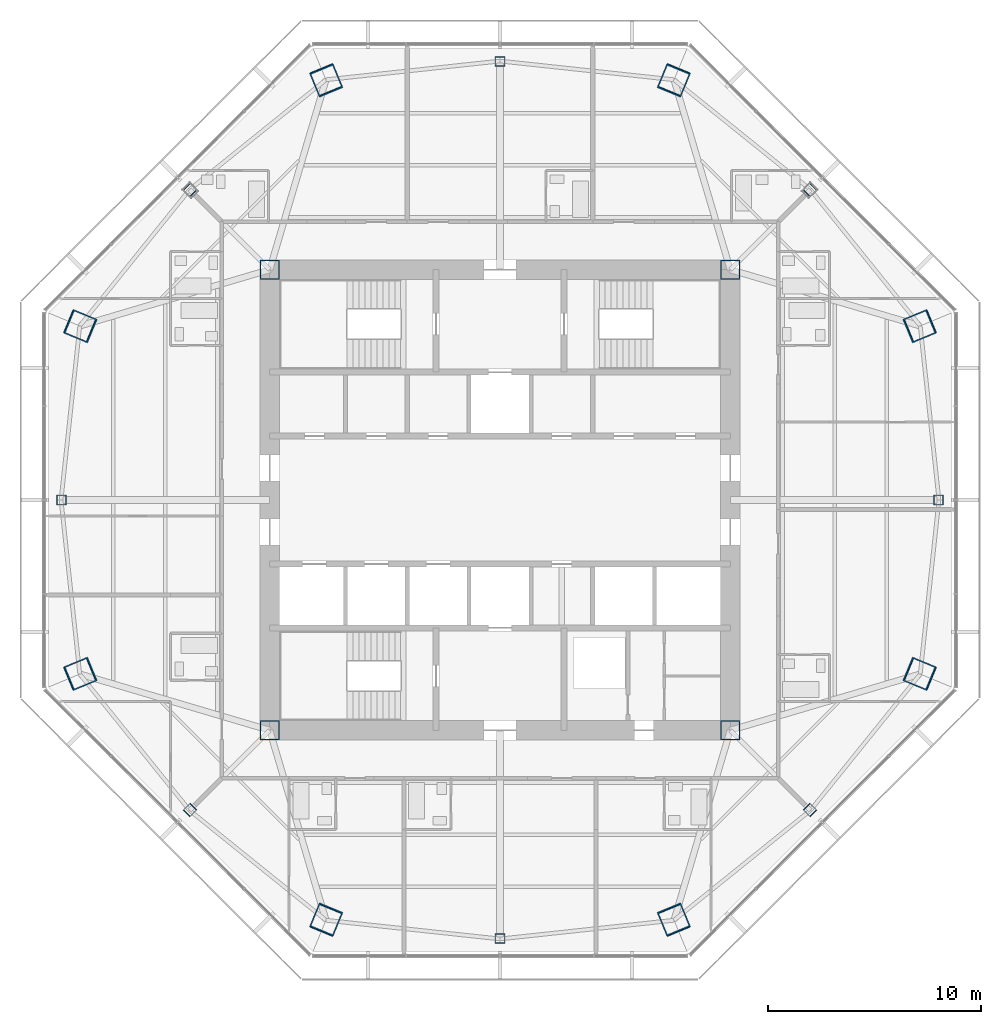
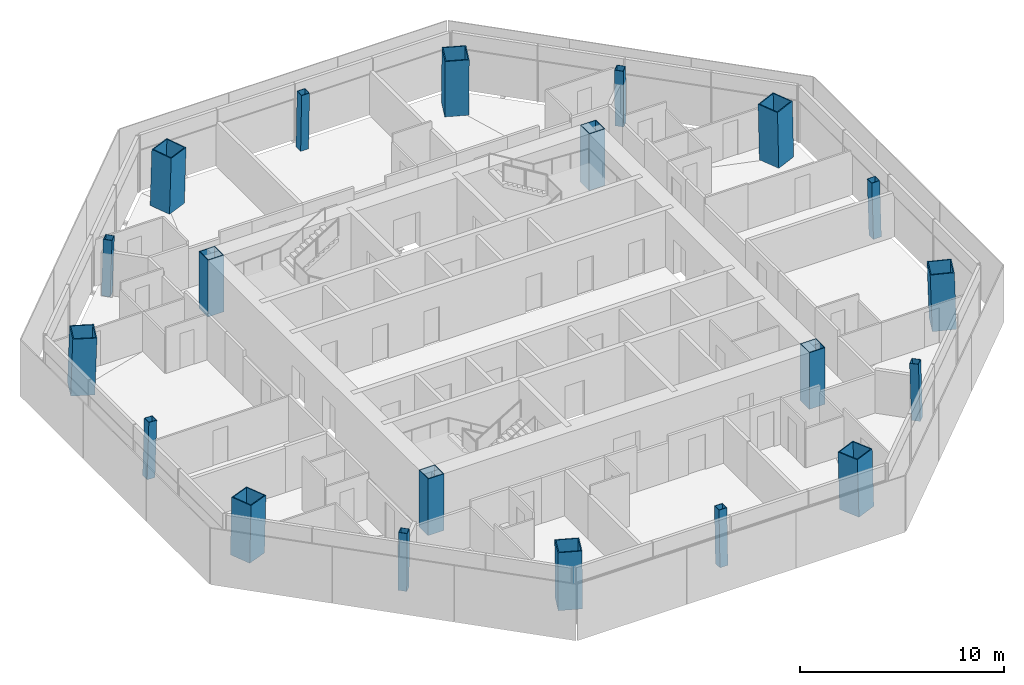
# One storey, part 1 of 15: 20 columns.
"""IFC4 building model written with IfcOpenShell, lengths in metres."""

from ifc_helpers import new_model, si_unit, direction, frame, origin, origin_2d, place, context, subcontext, project, spatial, hollow_rectangle, extrude, material, material_profile, profile_set, type_object, element, save


model = new_model("IFC4")

# Units and contexts
model_context = context("Model", 3, precision=1e-05, world=origin(), true_north=direction((0.0, 1.0)))
body_context = subcontext(model_context, "Body", "Model", "MODEL_VIEW")
ifc_project = project(units=[si_unit("LENGTHUNIT", "METRE"), si_unit("AREAUNIT", "SQUARE_METRE"), si_unit("VOLUMEUNIT", "CUBIC_METRE"), si_unit("PLANEANGLEUNIT", "RADIAN"), si_unit("MASSUNIT", "GRAM", prefix="KILO")], contexts=[model_context])

# Site, building, storey
site_placement = place(None, origin())
site = spatial("IfcSite", under=ifc_project, at=site_placement, CompositionType="ELEMENT")
building_placement = place(site_placement, origin())
building = spatial("IfcBuilding", under=site, at=building_placement, Name="Mashrafa Tower", CompositionType="ELEMENT")
storey_placement = place(building_placement, frame((0.0, 0.0, 234.60009765625)))
storey = spatial("IfcBuildingStorey", under=building, at=storey_placement, Name="L55", CompositionType="ELEMENT", Elevation=234.60009765625)

# Columns
ifc_material_1 = material(Name="Steel ASTM A572 Gr 50", Category="steel")
ifc_material_profile_1 = material_profile(ifc_material_1, hollow_rectangle(XDim=0.89990234375, YDim=0.89990234375, WallThickness=0.0400390625, at=origin_2d()), Name="BOX900X900X40")
ifc_profile_set_1 = profile_set([ifc_material_profile_1], Name="Steel ASTM A572 Gr 50")
column_type_1 = type_object("IfcColumnType", Name="Core corner column BOX900X900X40", PredefinedType="COLUMN", material=ifc_profile_set_1)
for number, where, z_axis, x_axis, name in (
    (1, (10.800048828125, 10.800048828125, 0.0), (0.0, 0.0, 1.0), (1.0, 0.0, 0.0), "Core corner column CC-NE L55"),
    (2, (-10.800048828125, 10.800048828125, 0.0), (0.0, 0.0, 1.0), (1.0, 0.0, 0.0), "Core corner column CC-NW L55"),
    (3, (-10.800048828125, -10.800048828125, 0.0), (0.0, 0.0, 1.0), (1.0, 0.0, 0.0), "Core corner column CC-SW L55"),
    (4, (10.800048828125, -10.800048828125, 0.0), (0.0, 0.0, 1.0), (1.0, 0.0, 0.0), "Core corner column CC-SE L55"),
):
    element("IfcColumn", number, at=place(storey_placement, frame(where, z_axis=z_axis, x_axis=x_axis)), inside=storey, type_object=column_type_1, Name=name, PredefinedType="COLUMN", context=body_context, shape_type="SweptSolid", body=[
        extrude(hollow_rectangle(XDim=0.89990234375, YDim=0.89990234375, WallThickness=0.0400390625, at=origin_2d()), origin(), (0.0, 0.0, 1.0), 3.39990234375),
    ])
ifc_material_2 = material(Name="Steel ASTM A572 Gr 50", Category="steel")
ifc_material_profile_2 = material_profile(ifc_material_2, hollow_rectangle(XDim=1.199951171875, YDim=1.199951171875, WallThickness=0.054931640625, at=origin_2d()), Name="BOX1200X1200X55")
ifc_profile_set_2 = profile_set([ifc_material_profile_2], Name="Steel ASTM A572 Gr 50")
column_type_2 = type_object("IfcColumnType", Name="Mega column CFST BOX1200X1200X55", PredefinedType="COLUMN", material=ifc_profile_set_2)
for number, where, z_axis, x_axis, name in (
    (5, (19.699951171875, 8.159912109375, 0.0), (-0.02827915051, -0.01169924247, 0.999531598986), (0.382282742426, -0.924045401938, 0.0), "Mega column MC1 L55"),
    (6, (8.159912109375, 19.699951171875, 0.0), (-0.01169924247, -0.02827915051, 0.999531598986), (0.924045401938, -0.382282742426, 0.0), "Mega column MC2 L55"),
    (7, (-8.159912109375, 19.699951171875, 0.0), (0.01169924247, -0.02827915051, 0.999531598986), (0.924045401938, 0.382282742426, 0.0), "Mega column MC3 L55"),
    (8, (-19.699951171875, 8.159912109375, 0.0), (0.02827915051, -0.01169924247, 0.999531598986), (0.382282742426, 0.924045401938, 0.0), "Mega column MC4 L55"),
    (9, (-19.699951171875, -8.159912109375, 0.0), (0.02827915051, 0.01169924247, 0.999531598986), (-0.382282742426, 0.924045401938, 0.0), "Mega column MC5 L55"),
    (10, (-8.159912109375, -19.699951171875, 0.0), (0.01169924247, 0.02827915051, 0.999531598986), (-0.924045401938, 0.382282742426, 0.0), "Mega column MC6 L55"),
    (11, (8.159912109375, -19.699951171875, 0.0), (-0.01169924247, 0.02827915051, 0.999531598986), (-0.924045401938, -0.382282742426, 0.0), "Mega column MC7 L55"),
    (12, (19.699951171875, -8.159912109375, 0.0), (-0.02827915051, 0.01169924247, 0.999531598986), (-0.382282742426, -0.924045401938, 0.0), "Mega column MC8 L55"),
):
    element("IfcColumn", number, at=place(storey_placement, frame(where, z_axis=z_axis, x_axis=x_axis)), inside=storey, type_object=column_type_2, Name=name, PredefinedType="COLUMN", context=body_context, shape_type="SweptSolid", body=[
        extrude(hollow_rectangle(XDim=1.199951171875, YDim=1.199951171875, WallThickness=0.054931640625, at=origin_2d()), origin(), (0.0, 0.0, 1.0), 3.401611328125),
    ])
ifc_material_3 = material(Name="Steel ASTM A572 Gr 50", Category="steel")
ifc_material_profile_3 = material_profile(ifc_material_3, hollow_rectangle(XDim=0.449951171875, YDim=0.449951171875, WallThickness=0.02001953125, at=origin_2d()), Name="BOX450X450X20")
ifc_profile_set_3 = profile_set([ifc_material_profile_3], Name="Steel ASTM A572 Gr 50")
column_type_3 = type_object("IfcColumnType", Name="Secondary column BOX450X450X20", PredefinedType="COLUMN", material=ifc_profile_set_3)
for number, where, z_axis, x_axis, name in (
    (13, (20.578125, 0.0, 0.0), (-0.028281086024, 0.0, 0.999600010091), (0.0, -1.0, 0.0), "Secondary column SC1 L55"),
    (14, (14.551025390625, 14.551025390625, 0.0), (-0.020026431307, -0.020026431307, 0.999598861593), (0.707106781187, -0.707106781187, 0.0), "Secondary column SC2 L55"),
    (15, (0.0, 20.578125, 0.0), (0.0, -0.028281086024, 0.999600010091), (1.0, 0.0, 0.0), "Secondary column SC3 L55"),
    (16, (-14.551025390625, 14.551025390625, 0.0), (0.020026431307, -0.020026431307, 0.999598861593), (0.707106781187, 0.707106781187, 0.0), "Secondary column SC4 L55"),
    (17, (-20.578125, 0.0, 0.0), (0.028281086024, 0.0, 0.999600010091), (0.0, 1.0, 0.0), "Secondary column SC5 L55"),
    (18, (-14.551025390625, -14.551025390625, 0.0), (0.020026431307, 0.020026431307, 0.999598861593), (-0.707106781187, 0.707106781187, 0.0), "Secondary column SC6 L55"),
    (19, (0.0, -20.578125, 0.0), (0.0, 0.028281086024, 0.999600010091), (-1.0, 0.0, 0.0), "Secondary column SC7 L55"),
    (20, (14.551025390625, -14.551025390625, 0.0), (-0.020026431307, 0.020026431307, 0.999598861593), (-0.707106781187, -0.707106781187, 0.0), "Secondary column SC8 L55"),
):
    element("IfcColumn", number, at=place(storey_placement, frame(where, z_axis=z_axis, x_axis=x_axis)), inside=storey, type_object=column_type_3, Name=name, PredefinedType="COLUMN", context=body_context, shape_type="SweptSolid", body=[
        extrude(hollow_rectangle(XDim=0.449951171875, YDim=0.449951171875, WallThickness=0.02001953125, at=origin_2d()), origin(), (0.0, 0.0, 1.0), 3.4013671875),
    ])

save(model, "model.ifc")
